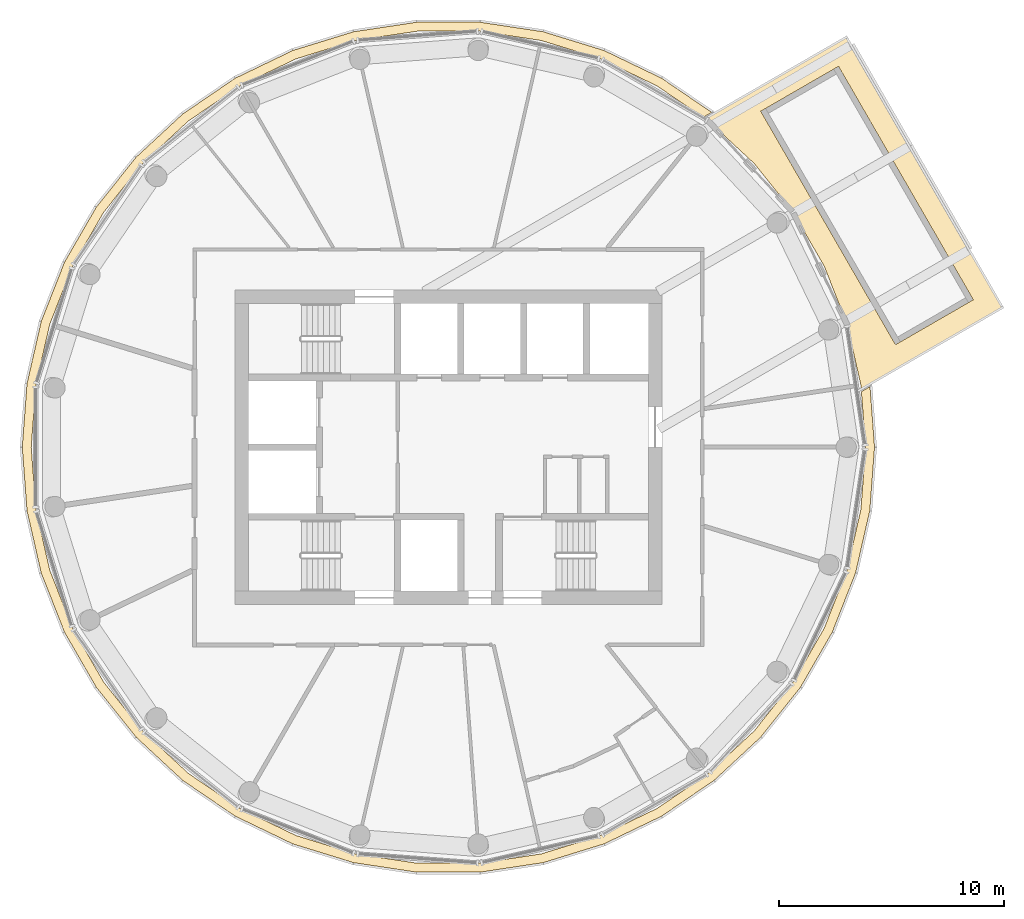
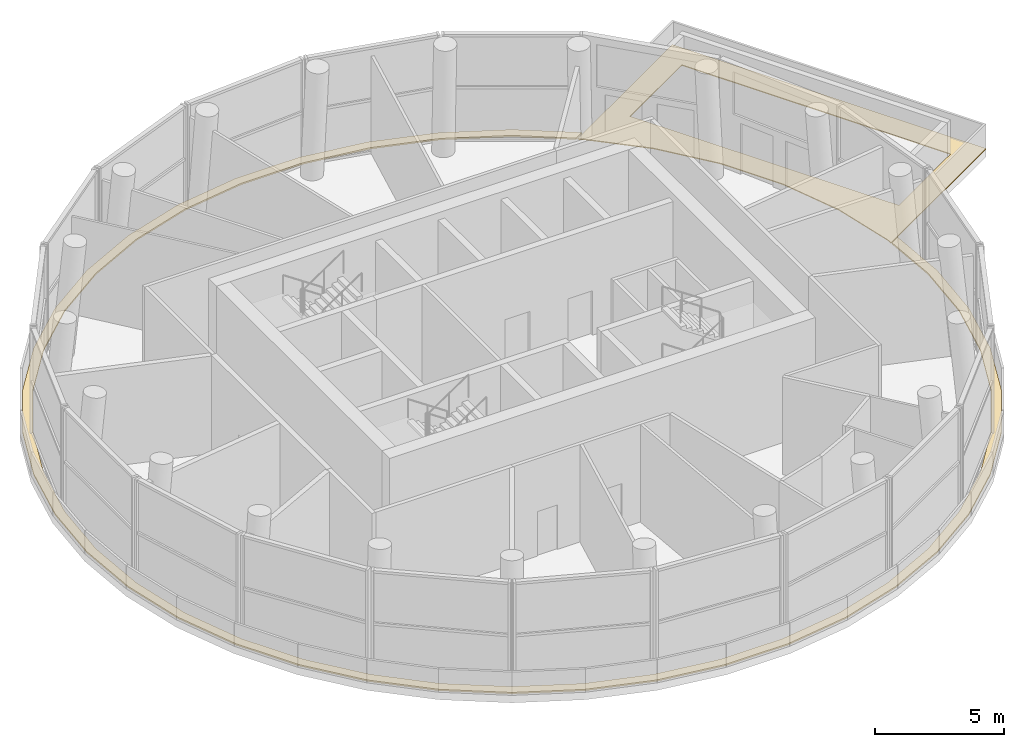
# One storey, part 10 of 10: 2 coverings.
"""IFC4 building model written with IfcOpenShell, lengths in metres."""

from ifc_helpers import new_model, si_unit, direction, frame, origin, place, context, subcontext, project, spatial, polyline, outline, extrude, material, layer, layer_set, type_object, element, save


model = new_model("IFC4")

# Units and contexts
model_context = context("Model", 3, precision=1e-05, world=origin(), true_north=direction((0.0, 1.0)))
body_context = subcontext(model_context, "Body", "Model", "MODEL_VIEW")
ifc_project = project(units=[si_unit("LENGTHUNIT", "METRE"), si_unit("AREAUNIT", "SQUARE_METRE"), si_unit("VOLUMEUNIT", "CUBIC_METRE"), si_unit("PLANEANGLEUNIT", "RADIAN"), si_unit("MASSUNIT", "GRAM", prefix="KILO")], contexts=[model_context])

# Site, building, storey
site_placement = place(None, origin())
site = spatial("IfcSite", under=ifc_project, at=site_placement, CompositionType="ELEMENT")
building_placement = place(site_placement, origin())
building = spatial("IfcBuilding", under=site, at=building_placement, Name="Tracery Tower", CompositionType="ELEMENT")
storey_placement = place(building_placement, frame((0.0, 0.0, 341.39990234375)))
storey = spatial("IfcBuildingStorey", under=building, at=storey_placement, Name="L88", CompositionType="ELEMENT", Elevation=341.39990234375)

# Coverings
ifc_material_1 = material(Name="Roof membrane on insulation")
ifc_layer_1 = layer(ifc_material_1, 0.070068359375)
ifc_layer_set_1 = layer_set([ifc_layer_1], Name="Crown ledge roof membrane 70")
covering_type_1 = type_object("IfcCoveringType", Name="Crown ledge roof membrane 70", PredefinedType="ROOFING", material=ifc_layer_set_1)
covering_1_placement = place(storey_placement, origin())
element("IfcCovering", 1, at=covering_1_placement, inside=storey, type_object=covering_type_1, Name="Ledge roof L88", PredefinedType="ROOFING", context=body_context, shape_type="SweptSolid", body=[
    extrude(outline(polyline([(18.760009765625, -2.82763671875), (18.971923828125, 0.0), (18.77001953125, 2.6962890625), (18.40771484375, 2.487060546875), (18.39892578125, 2.48291015625), (18.38623046875, 2.48046875), (18.572265625, 0.0), (18.36474609375, -2.76806640625), (17.7470703125, -5.474365234375), (16.73291015625, -8.05810546875), (15.34521484375, -10.462158203125), (13.614501953125, -12.63232421875), (11.57958984375, -14.520263671875), (9.2861328125, -16.083984375), (6.78515625, -17.288330078125), (4.1328125, -18.106689453125), (1.387939453125, -18.520263671875), (-1.387939453125, -18.520263671875), (-4.1328125, -18.106689453125), (-6.78515625, -17.288330078125), (-9.2861328125, -16.083984375), (-11.57958984375, -14.520263671875), (-13.614501953125, -12.63232421875), (-15.34521484375, -10.462158203125), (-16.73291015625, -8.05810546875), (-17.7470703125, -5.474365234375), (-18.36474609375, -2.76806640625), (-18.572265625, 0.0), (-18.36474609375, 2.76806640625), (-17.7470703125, 5.474365234375), (-16.73291015625, 8.05810546875), (-15.34521484375, 10.462158203125), (-13.614501953125, 12.63232421875), (-11.57958984375, 14.520263671875), (-9.2861328125, 16.083984375), (-6.78515625, 17.288330078125), (-4.1328125, 18.106689453125), (-1.387939453125, 18.520263671875), (1.387939453125, 18.520263671875), (4.1328125, 18.106689453125), (6.78515625, 17.288330078125), (9.2861328125, 16.083984375), (11.34130859375, 14.6826171875), (11.349853515625, 14.6923828125), (11.357666015625, 14.697998046875), (11.719970703125, 14.906982421875), (9.486083984375, 16.43017578125), (6.93115234375, 17.660400390625), (4.2216796875, 18.496337890625), (1.417724609375, 18.9189453125), (-1.417724609375, 18.9189453125), (-4.2216796875, 18.496337890625), (-6.93115234375, 17.660400390625), (-9.486083984375, 16.43017578125), (-11.828857421875, 14.832763671875), (-13.907470703125, 12.904296875), (-15.67529296875, 10.687255859375), (-17.093017578125, 8.231689453125), (-18.129150390625, 5.592041015625), (-18.760009765625, 2.82763671875), (-18.971923828125, 0.0), (-18.760009765625, -2.82763671875), (-18.129150390625, -5.592041015625), (-17.093017578125, -8.231689453125), (-15.67529296875, -10.687255859375), (-13.907470703125, -12.904296875), (-11.828857421875, -14.832763671875), (-9.486083984375, -16.43017578125), (-6.93115234375, -17.660400390625), (-4.2216796875, -18.496337890625), (-1.417724609375, -18.9189453125), (1.417724609375, -18.9189453125), (4.2216796875, -18.496337890625), (6.93115234375, -17.660400390625), (9.486083984375, -16.43017578125), (11.828857421875, -14.832763671875), (13.907470703125, -12.904296875), (15.67529296875, -10.687255859375), (17.093017578125, -8.231689453125), (18.129150390625, -5.592041015625), (18.760009765625, -2.82763671875)])), origin(), (0.0, 0.0, 1.0), 0.070068359375),
])
ifc_material_2 = material(Name="Granite paving", Category="masonry")
ifc_layer_2 = layer(ifc_material_2, 0.0400390625)
ifc_layer_set_2 = layer_set([ifc_layer_2], Name="Pool deck paving 40")
covering_type_2 = type_object("IfcCoveringType", Name="Pool deck paving 40", PredefinedType="FLOORING", material=ifc_layer_set_2)
covering_2_placement = place(storey_placement, origin())
element("IfcCovering", 2, at=covering_2_placement, inside=storey, type_object=covering_type_2, Name="Pool deck paving", PredefinedType="FLOORING", context=body_context, shape_type="SweptSolid", body=[
    extrude(outline(polyline([(17.735107421875, 18.322265625), (11.382568359375, 14.654541015625), (11.57958984375, 14.520263671875), (13.614501953125, 12.63232421875), (15.34521484375, 10.462158203125), (16.73291015625, 8.05810546875), (17.7470703125, 5.474365234375), (18.36474609375, 2.76806640625), (18.382568359375, 2.5302734375), (24.735107421875, 6.197998046875), (17.735107421875, 18.322265625)]), holes=[polyline([(19.905029296875, 4.56396484375), (13.905029296875, 14.956298828125), (17.369140625, 16.956298828125), (23.369140625, 6.56396484375), (19.905029296875, 4.56396484375)])]), origin(), (0.0, 0.0, 1.0), 0.0400390625),
])

save(model, "model.ifc")
